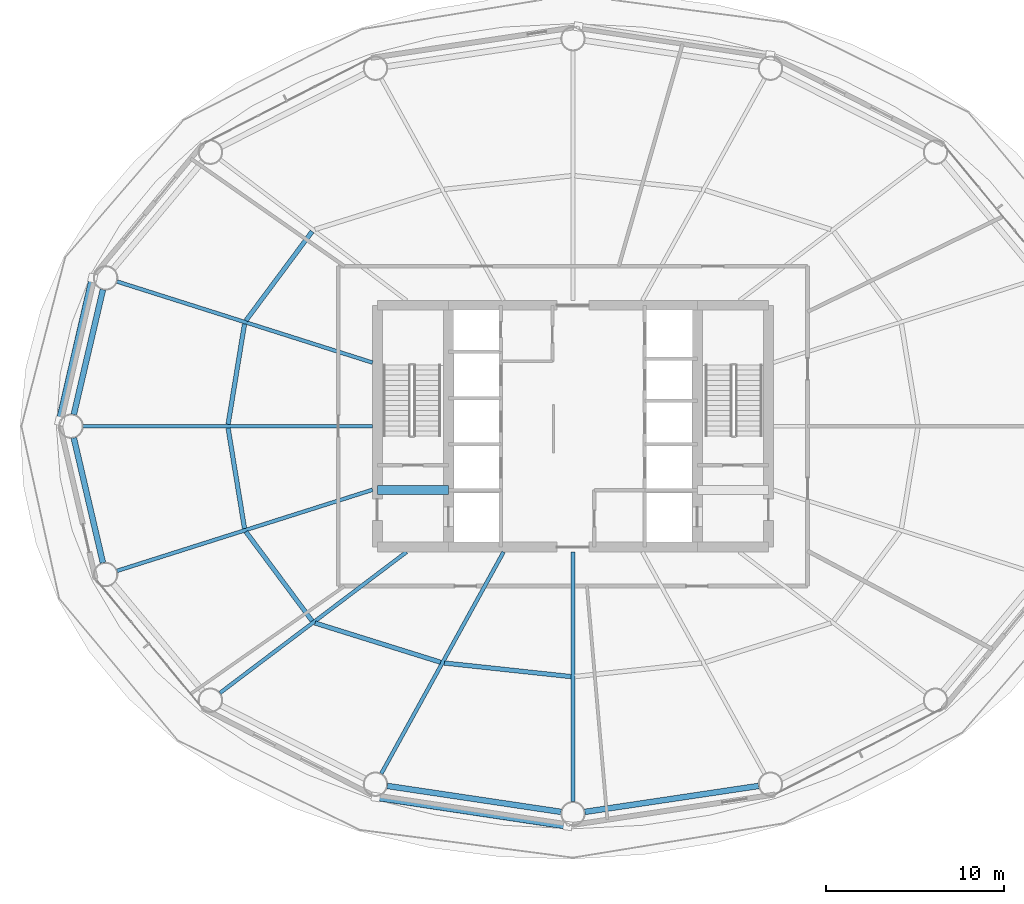
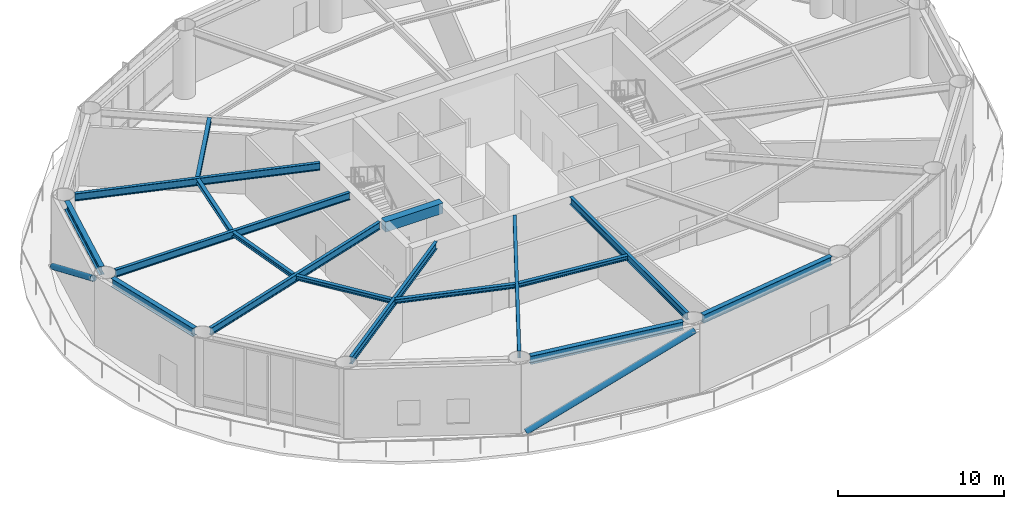
# One storey, part 4 of 25: 17 beams, 2 members.
"""IFC4 building model written with IfcOpenShell, lengths in metres."""

from ifc_helpers import new_model, si_unit, direction, frame, origin, origin_2d, place, context, subcontext, project, spatial, rectangle, hollow_circle, i_section, extrude, material, material_profile, profile_set, type_object, element, save


model = new_model("IFC4")

# Units and contexts
model_context = context("Model", 3, precision=1e-05, world=origin(), true_north=direction((0.0, 1.0)))
body_context = subcontext(model_context, "Body", "Model", "MODEL_VIEW")
ifc_project = project(units=[si_unit("LENGTHUNIT", "METRE"), si_unit("AREAUNIT", "SQUARE_METRE"), si_unit("VOLUMEUNIT", "CUBIC_METRE"), si_unit("PLANEANGLEUNIT", "RADIAN"), si_unit("MASSUNIT", "GRAM", prefix="KILO")], contexts=[model_context])

# Site, building, storey
site_placement = place(None, origin())
site = spatial("IfcSite", under=ifc_project, at=site_placement, CompositionType="ELEMENT")
building_placement = place(site_placement, origin())
building = spatial("IfcBuilding", under=site, at=building_placement, Name="Sarneth Arch Tower", CompositionType="ELEMENT")
storey_placement = place(building_placement, frame((0.0, 0.0, 134.39990234375)))
storey = spatial("IfcBuildingStorey", under=building, at=storey_placement, Name="L34", CompositionType="ELEMENT", Elevation=134.39990234375)

# Beams
ifc_material_1 = material(Name="Steel S355", Category="steel")
ifc_material_profile_1 = material_profile(ifc_material_1, i_section(OverallWidth=0.25390625, OverallDepth=0.305908203125, WebThickness=0.0087890625, FlangeThickness=0.0146484375, FilletRadius=0.014892578125, at=origin_2d()), Name="W310x79")
ifc_profile_set_1 = profile_set([ifc_material_profile_1], Name="Steel S355")
beam_type_1 = type_object("IfcBeamType", Name="BM-JOIST-310A", PredefinedType="JOIST", material=ifc_profile_set_1)
beam_1_placement = place(storey_placement, frame((33.32666015625, 52.956787109375, 4.897216796875), z_axis=(-0.596354224217, -0.80272139579, 0.0), x_axis=(0.80272139579, -0.596354224217, 0.0)))
element("IfcBeam", 1, at=beam_1_placement, inside=storey, type_object=beam_type_1, Name="L34 Secondary floor joist 07", PredefinedType="JOIST", context=body_context, shape_type="SweptSolid", body=[
    extrude(i_section(OverallWidth=0.25390625, OverallDepth=0.305908203125, WebThickness=0.0087890625, FlangeThickness=0.0146484375, FilletRadius=0.014892578125, at=origin_2d()), origin(), (0.0, 0.0, 1.0), 6.246337890625),
])
for number, where, z_axis, x_axis, name in (
    (2, (29.521484375, 47.75390625, 4.897216796875), (-0.16120310833, -0.986921252109, 0.0), (0.986921252109, -0.16120310833, 0.0), "L34 Secondary floor joist 08"),
    (3, (28.5986328125, 41.89599609375, 4.897216796875), (0.16120310833, -0.986921252109, 0.0), (0.986921252109, 0.16120310833, 0.0), "L34 Secondary floor joist 09"),
):
    element("IfcBeam", number, at=place(storey_placement, frame(where, z_axis=z_axis, x_axis=x_axis)), inside=storey, type_object=beam_type_1, Name=name, PredefinedType="JOIST", context=body_context, shape_type="SweptSolid", body=[
        extrude(i_section(OverallWidth=0.25390625, OverallDepth=0.305908203125, WebThickness=0.0087890625, FlangeThickness=0.0146484375, FilletRadius=0.014892578125, at=origin_2d()), origin(), (0.0, 0.0, 1.0), 5.724853515625),
    ])
beam_2_placement = place(storey_placement, frame((29.6015625, 36.057373046875, 4.897216796875), z_axis=(0.596354224217, -0.80272139579, 0.0), x_axis=(0.80272139579, 0.596354224217, 0.0)))
element("IfcBeam", 4, at=beam_2_placement, inside=storey, type_object=beam_type_1, Name="L34 Secondary floor joist 10", PredefinedType="JOIST", context=body_context, shape_type="SweptSolid", body=[
    extrude(i_section(OverallWidth=0.25390625, OverallDepth=0.305908203125, WebThickness=0.0087890625, FlangeThickness=0.0146484375, FilletRadius=0.014892578125, at=origin_2d()), origin(), (0.0, 0.0, 1.0), 6.246337890625),
])
beam_3_placement = place(storey_placement, frame((33.490234375, 30.927001953125, 4.897216796875), z_axis=(0.9544870201, -0.298252457594, 0.0), x_axis=(0.298252457594, 0.9544870201, 0.0)))
element("IfcBeam", 5, at=beam_3_placement, inside=storey, type_object=beam_type_1, Name="L34 Secondary floor joist 11", PredefinedType="JOIST", context=body_context, shape_type="SweptSolid", body=[
    extrude(i_section(OverallWidth=0.25390625, OverallDepth=0.305908203125, WebThickness=0.0087890625, FlangeThickness=0.0146484375, FilletRadius=0.014892578125, at=origin_2d()), origin(), (0.0, 0.0, 1.0), 7.40234375),
])
beam_4_placement = place(storey_placement, frame((40.761474609375, 28.676513671875, 4.897216796875), z_axis=(0.99429330851, -0.106680910441, 0.0), x_axis=(0.106680910441, 0.99429330851, 0.0)))
element("IfcBeam", 6, at=beam_4_placement, inside=storey, type_object=beam_type_1, Name="L34 Secondary floor joist 12", PredefinedType="JOIST", context=body_context, shape_type="SweptSolid", body=[
    extrude(i_section(OverallWidth=0.25390625, OverallDepth=0.305908203125, WebThickness=0.0087890625, FlangeThickness=0.0146484375, FilletRadius=0.014892578125, at=origin_2d()), origin(), (0.0, 0.0, 1.0), 7.174560546875),
])
ifc_material_2 = material(Name="Concrete C50/60", Category="concrete")
ifc_material_profile_2 = material_profile(ifc_material_2, rectangle(XDim=0.5, YDim=0.75, at=origin_2d()), Name="RC-500x750")
ifc_profile_set_2 = profile_set([ifc_material_profile_2], Name="Concrete C50/60")
beam_type_2 = type_object("IfcBeamType", Name="BM-LINTEL-RC", PredefinedType="LINTEL", material=ifc_profile_set_2)
beam_5_placement = place(storey_placement, frame((37.0, 38.39990234375, 4.675048828125), z_axis=(1.0, 0.0, 0.0), x_axis=(0.0, 1.0, 0.0)))
element("IfcBeam", 7, at=beam_5_placement, inside=storey, type_object=beam_type_2, Name="L34 Core coupling lintel W", PredefinedType="LINTEL", context=body_context, shape_type="SweptSolid", body=[
    extrude(rectangle(XDim=0.5, YDim=0.75, at=origin_2d()), origin(), (0.0, 0.0, 1.0), 4.0),
])
ifc_material_3 = material(Name="Steel S355", Category="steel")
ifc_material_profile_3 = material_profile(ifc_material_3, i_section(OverallWidth=0.2109375, OverallDepth=0.5390625, WebThickness=0.01171875, FlangeThickness=0.018798828125, FilletRadius=0.01806640625, at=origin_2d()), Name="W530x109")
ifc_profile_set_3 = profile_set([ifc_material_profile_3], Name="Steel S355")
beam_type_3 = type_object("IfcBeamType", Name="BM-RAD-530B", PredefinedType="BEAM", material=ifc_profile_set_3)
beam_6_placement = place(storey_placement, frame((36.72509765625, 45.57763671875, 4.780517578125), z_axis=(-0.95316257761, 0.302458427958, 0.0), x_axis=(-0.302458427958, -0.95316257761, 0.0)))
element("IfcBeam", 8, at=beam_6_placement, inside=storey, type_object=beam_type_3, Name="L34 Radial floor girder 08", PredefinedType="BEAM", context=body_context, shape_type="SweptSolid", body=[
    extrude(i_section(OverallWidth=0.2109375, OverallDepth=0.5390625, WebThickness=0.01171875, FlangeThickness=0.018798828125, FilletRadius=0.01806640625, at=origin_2d()), origin(), (0.0, 0.0, 1.0), 15.0791015625),
])
beam_7_placement = place(storey_placement, frame((36.72509765625, 42.0, 4.780517578125), z_axis=(-1.0, 0.0, 0.0), x_axis=(0.0, -1.0, 0.0)))
element("IfcBeam", 9, at=beam_7_placement, inside=storey, type_object=beam_type_3, Name="L34 Radial floor girder 09", PredefinedType="BEAM", context=body_context, shape_type="SweptSolid", body=[
    extrude(i_section(OverallWidth=0.2109375, OverallDepth=0.5390625, WebThickness=0.01171875, FlangeThickness=0.018798828125, FilletRadius=0.01806640625, at=origin_2d()), origin(), (0.0, 0.0, 1.0), 16.28662109375),
])
beam_8_placement = place(storey_placement, frame((36.72509765625, 38.42236328125, 4.780517578125), z_axis=(-0.95316257761, -0.302458427958, 0.0), x_axis=(0.302458427958, -0.95316257761, 0.0)))
element("IfcBeam", 10, at=beam_8_placement, inside=storey, type_object=beam_type_3, Name="L34 Radial floor girder 10", PredefinedType="BEAM", context=body_context, shape_type="SweptSolid", body=[
    extrude(i_section(OverallWidth=0.2109375, OverallDepth=0.5390625, WebThickness=0.01171875, FlangeThickness=0.018798828125, FilletRadius=0.01806640625, at=origin_2d()), origin(), (0.0, 0.0, 1.0), 15.0791015625),
])
beam_9_placement = place(storey_placement, frame((38.63818359375, 34.925048828125, 4.780517578125), z_axis=(-0.797801476102, -0.602920230818, 0.0), x_axis=(0.602920230818, -0.797801476102, 0.0)))
element("IfcBeam", 11, at=beam_9_placement, inside=storey, type_object=beam_type_3, Name="L34 Radial floor girder 11", PredefinedType="BEAM", context=body_context, shape_type="SweptSolid", body=[
    extrude(i_section(OverallWidth=0.2109375, OverallDepth=0.5390625, WebThickness=0.01171875, FlangeThickness=0.018798828125, FilletRadius=0.01806640625, at=origin_2d()), origin(), (0.0, 0.0, 1.0), 13.15771484375),
])
beam_10_placement = place(storey_placement, frame((44.09716796875, 34.925048828125, 4.780517578125), z_axis=(-0.48301301286, -0.875613173387, 0.0), x_axis=(0.875613173387, -0.48301301286, 0.0)))
element("IfcBeam", 12, at=beam_10_placement, inside=storey, type_object=beam_type_3, Name="L34 Radial floor girder 12", PredefinedType="BEAM", context=body_context, shape_type="SweptSolid", body=[
    extrude(i_section(OverallWidth=0.2109375, OverallDepth=0.5390625, WebThickness=0.01171875, FlangeThickness=0.018798828125, FilletRadius=0.01806640625, at=origin_2d()), origin(), (0.0, 0.0, 1.0), 14.246826171875),
])
beam_11_placement = place(storey_placement, frame((48.0, 34.925048828125, 4.780517578125), z_axis=(0.0, -1.0, 0.0), x_axis=(1.0, 0.0, 0.0)))
element("IfcBeam", 13, at=beam_11_placement, inside=storey, type_object=beam_type_3, Name="L34 Radial floor girder 13", PredefinedType="BEAM", context=body_context, shape_type="SweptSolid", body=[
    extrude(i_section(OverallWidth=0.2109375, OverallDepth=0.5390625, WebThickness=0.01171875, FlangeThickness=0.018798828125, FilletRadius=0.01806640625, at=origin_2d()), origin(), (0.0, 0.0, 1.0), 14.050048828125),
])
ifc_material_4 = material(Name="Steel S355", Category="steel")
ifc_material_profile_4 = material_profile(ifc_material_4, i_section(OverallWidth=0.323974609375, OverallDepth=0.611083984375, WebThickness=0.0126953125, FlangeThickness=0.01904296875, FilletRadius=0.01904296875, at=origin_2d()), Name="W610x155")
ifc_profile_set_4 = profile_set([ifc_material_profile_4], Name="Steel S355")
beam_type_4 = type_object("IfcBeamType", Name="BM-SPAN-610B", PredefinedType="SPANDREL", material=ifc_profile_set_4)
for number, where, z_axis, x_axis, name in (
    (14, (21.555419921875, 49.68505859375, 4.74462890625), (-0.22708522689, -0.973874889156, 0.0), (0.973874889156, -0.22708522689, 0.0), "L34 Perimeter spandrel beam 08"),
    (15, (19.916748046875, 41.342529296875, 4.74462890625), (0.22708522689, -0.973874889156, 0.0), (0.973874889156, 0.22708522689, 0.0), "L34 Perimeter spandrel beam 09"),
):
    element("IfcBeam", number, at=place(storey_placement, frame(where, z_axis=z_axis, x_axis=x_axis)), inside=storey, type_object=beam_type_4, Name=name, PredefinedType="SPANDREL", context=body_context, shape_type="SweptSolid", body=[
        extrude(i_section(OverallWidth=0.323974609375, OverallDepth=0.611083984375, WebThickness=0.0126953125, FlangeThickness=0.01904296875, FilletRadius=0.01904296875, at=origin_2d()), origin(), (0.0, 0.0, 1.0), 7.216064453125),
    ])
for number, where, z_axis, x_axis, name in (
    (16, (37.557373046875, 21.759765625, 4.74462890625), (0.989029828744, -0.147715936359, 0.0), (0.147715936359, 0.989029828744, 0.0), "L34 Perimeter spandrel beam 12"),
    (17, (48.66748046875, 20.2998046875, 4.74462890625), (0.989029828744, 0.147715936359, 0.0), (-0.147715936359, 0.989029828744, 0.0), "L34 Perimeter spandrel beam 13"),
):
    element("IfcBeam", number, at=place(storey_placement, frame(where, z_axis=z_axis, x_axis=x_axis)), inside=storey, type_object=beam_type_4, Name=name, PredefinedType="SPANDREL", context=body_context, shape_type="SweptSolid", body=[
        extrude(i_section(OverallWidth=0.323974609375, OverallDepth=0.611083984375, WebThickness=0.0126953125, FlangeThickness=0.01904296875, FilletRadius=0.01904296875, at=origin_2d()), origin(), (0.0, 0.0, 1.0), 9.883544921875),
    ])

# Members
ifc_material_5 = material(Name="Steel S355", Category="steel")
ifc_material_profile_5 = material_profile(ifc_material_5, hollow_circle(Radius=0.202880859375, WallThickness=0.01611328125, at=origin_2d()), Name="CHS406x16")
ifc_profile_set_5 = profile_set([ifc_material_profile_5], Name="Steel S355")
member_type = type_object("IfcMemberType", Name="MEM-DIAG-BR2", PredefinedType="BRACE", material=ifc_profile_set_5)
member_1_placement = place(storey_placement, frame((20.98046875, 50.32958984375, 0.02001953125), z_axis=(-0.196182962465, -0.848133855196, 0.49211910033), x_axis=(0.974275349464, -0.225360918143, 0.0)))
element("IfcMember", 18, at=member_1_placement, inside=storey, type_object=member_type, Name="L34 Perimeter frame diagonal 08", PredefinedType="BRACE", context=body_context, shape_type="SweptSolid", body=[
    extrude(hollow_circle(Radius=0.202880859375, WallThickness=0.01611328125, at=origin_2d()), origin(), (0.0, 0.0, 1.0), 9.4765625),
])
member_2_placement = place(storey_placement, frame((36.9072265625, 21.140380859375, 0.02001953125), z_axis=(0.909364905295, -0.136936317685, 0.392815368738), x_axis=(0.148905755657, 0.988851392239, 0.0)))
element("IfcMember", 19, at=member_2_placement, inside=storey, type_object=member_type, Name="L34 Perimeter frame diagonal 12", PredefinedType="BRACE", context=body_context, shape_type="SweptSolid", body=[
    extrude(hollow_circle(Radius=0.202880859375, WallThickness=0.01611328125, at=origin_2d()), origin(), (0.0, 0.0, 1.0), 11.8720703125),
])

save(model, "model.ifc")
